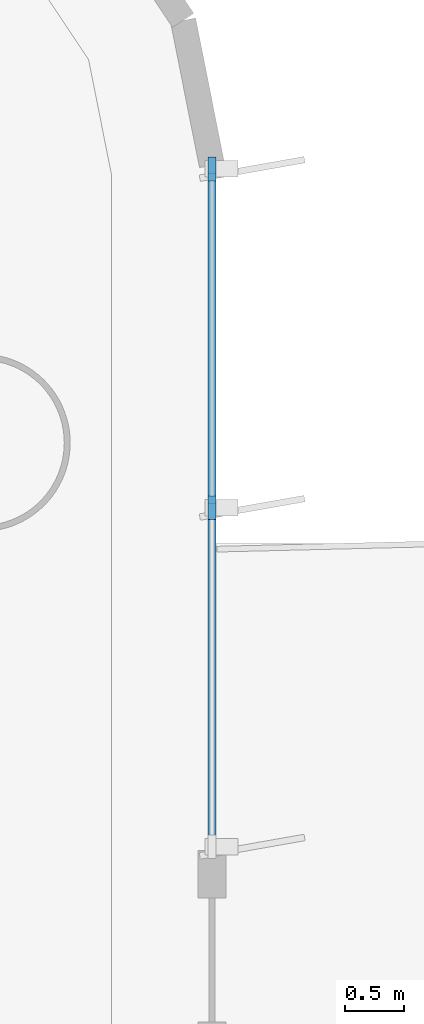
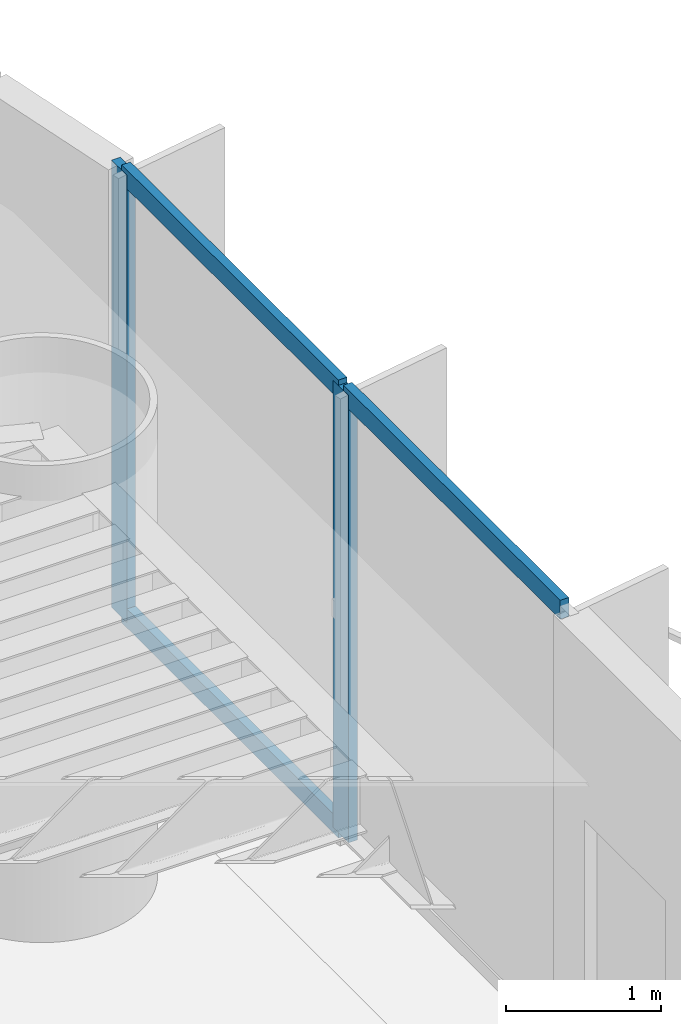
# One storey, part 6 of 16: 5 members, 1 element without a shape of its own.
"""IFC4 building model written with IfcOpenShell, lengths in metres."""

from ifc_helpers import new_model, si_unit, direction, frame, origin, origin_2d, place, context, subcontext, project, spatial, rectangle, extrude, source, transform, mapped, material, layer, layer_set, material_profile, profile_set, type_object, element, aggregate, save


model = new_model("IFC4")

# Units and contexts
model_context = context("Model", 3, precision=1e-05, world=origin(), true_north=direction((0.0, 1.0)))
body_context = subcontext(model_context, "Body", "Model", "MODEL_VIEW")
ifc_project = project(units=[si_unit("LENGTHUNIT", "METRE"), si_unit("AREAUNIT", "SQUARE_METRE"), si_unit("VOLUMEUNIT", "CUBIC_METRE"), si_unit("PLANEANGLEUNIT", "RADIAN"), si_unit("MASSUNIT", "GRAM", prefix="KILO")], contexts=[model_context])

# Site, building, storey
site_placement = place(None, origin())
site = spatial("IfcSite", under=ifc_project, at=site_placement, CompositionType="ELEMENT")
building_placement = place(site_placement, origin())
building = spatial("IfcBuilding", under=site, at=building_placement, Name="Brelvock Crest Care Tower", CompositionType="ELEMENT")
storey_placement = place(building_placement, frame((0.0, 0.0, 61.02001953125)))
storey = spatial("IfcBuildingStorey", under=building, at=storey_placement, Name="L15", CompositionType="ELEMENT", Elevation=61.02001953125)

# Curtain wall, members
ifc_material_1 = material(Name="Dark Glass Double Glazed Low-E", Category="glass")
ifc_layer = layer(ifc_material_1, 0.195068359375, Name="CWS-2")
ifc_layer_set = layer_set([ifc_layer], Name="Dark Glass Double Glazed Low-E")
curtain_wall_type = type_object("IfcCurtainWallType", Name="CWS-2", PredefinedType="NOTDEFINED", material=ifc_layer_set)
curtain_wall_placement = place(storey_placement, origin())
curtain_wall = element("IfcCurtainWall", 1, at=curtain_wall_placement, inside=storey, type_object=curtain_wall_type, Name="L15 Curtain Wall E03A", PredefinedType="NOTDEFINED")
ifc_material_2 = material(Name="Aluminium 6063-T6", Category="aluminium")
ifc_material_profile_1 = material_profile(ifc_material_2, rectangle(XDim=0.06494140625, YDim=0.199951171875, at=origin_2d()), Name="ALU65x200")
ifc_profile_set_1 = profile_set([ifc_material_profile_1], Name="Aluminium 6063-T6")
member_type_1 = type_object("IfcMemberType", Name="CWM-1", PredefinedType="MULLION", material=ifc_profile_set_1)
shared_shape_1 = source(origin(), body_context, "Body", "SweptSolid", [
    extrude(rectangle(XDim=0.06494140625, YDim=0.199951171875, at=origin_2d()), origin(), (0.0, 0.0, 1.0), 3.530029296875),
])
member_1_placement = place(storey_placement, frame((60.0, 32.767578125, 0.0), z_axis=(0.0, 0.0, 1.0), x_axis=(1.0, 0.0, 0.0)))
member_1 = element("IfcMember", 2, at=member_1_placement, type_object=member_type_1, Name="CW-2 mullion 1", PredefinedType="MULLION", context=body_context, shape_type="MappedRepresentation", body=[
    mapped(shared_shape_1, transform((0.0, 0.0, 0.0), x_axis=(1.0, 0.0, 0.0), y_axis=(0.0, 1.0, 0.0), z_axis=(0.0, 0.0, 1.0), scale=1.0)),
])
member_2_placement = place(storey_placement, frame((60.0, 29.89990234375, 0.0), z_axis=(0.0, 0.0, 1.0), x_axis=(1.0, 0.0, 0.0)))
member_2 = element("IfcMember", 3, at=member_2_placement, type_object=member_type_1, Name="CW-2 mullion 2", PredefinedType="MULLION", context=body_context, shape_type="MappedRepresentation", body=[
    mapped(shared_shape_1, transform((0.0, 0.0, 0.0), x_axis=(1.0, 0.0, 0.0), y_axis=(0.0, 1.0, 0.0), z_axis=(0.0, 0.0, 1.0), scale=1.0)),
])
ifc_material_profile_2 = material_profile(ifc_material_2, rectangle(XDim=0.06494140625, YDim=0.14990234375, at=origin_2d()), Name="ALU65x150")
ifc_profile_set_2 = profile_set([ifc_material_profile_2], Name="Aluminium 6063-T6")
member_type_2 = type_object("IfcMemberType", Name="CWT-1", PredefinedType="USERDEFINED", material=ifc_profile_set_2)
shared_shape_2 = source(origin(), body_context, "Body", "SweptSolid", [
    extrude(rectangle(XDim=0.06494140625, YDim=0.14990234375, at=origin_2d()), origin(), (0.0, 0.0, 1.0), 2.802490234375),
])
member_3_placement = place(storey_placement, frame((60.0, 32.735107421875, 0.032470703125), z_axis=(0.0, -1.0, 0.0), x_axis=(1.0, 0.0, 0.0)))
member_3 = element("IfcMember", 4, at=member_3_placement, type_object=member_type_2, Name="CW-2 transom 1.1", ObjectType="TRANSOM", PredefinedType="USERDEFINED", context=body_context, shape_type="MappedRepresentation", body=[
    mapped(shared_shape_2, transform((0.0, 0.0, 0.0), x_axis=(1.0, 0.0, 0.0), y_axis=(0.0, 1.0, 0.0), z_axis=(0.0, 0.0, 1.0), scale=1.0)),
])
member_4_placement = place(storey_placement, frame((60.0, 32.735107421875, 3.49755859375), z_axis=(0.0, -1.0, 0.0), x_axis=(1.0, 0.0, 0.0)))
member_4 = element("IfcMember", 5, at=member_4_placement, type_object=member_type_2, Name="CW-2 transom 1.2", ObjectType="TRANSOM", PredefinedType="USERDEFINED", context=body_context, shape_type="MappedRepresentation", body=[
    mapped(shared_shape_2, transform((0.0, 0.0, 0.0), x_axis=(1.0, 0.0, 0.0), y_axis=(0.0, 1.0, 0.0), z_axis=(0.0, 0.0, 1.0), scale=1.0)),
])
member_5_placement = place(storey_placement, frame((60.0, 29.867431640625, 3.49755859375), z_axis=(0.0, -1.0, 0.0), x_axis=(1.0, 0.0, 0.0)))
member_5 = element("IfcMember", 6, at=member_5_placement, type_object=member_type_2, Name="CW-2 transom 2.2", ObjectType="TRANSOM", PredefinedType="USERDEFINED", context=body_context, shape_type="MappedRepresentation", body=[
    mapped(shared_shape_2, transform((0.0, 0.0, 0.0), x_axis=(1.0, 0.0, 0.0), y_axis=(0.0, 1.0, 0.0), z_axis=(0.0, 0.0, 1.0), scale=1.0)),
])
aggregate(curtain_wall, [member_1, member_2, member_3, member_4, member_5])

save(model, "model.ifc")
